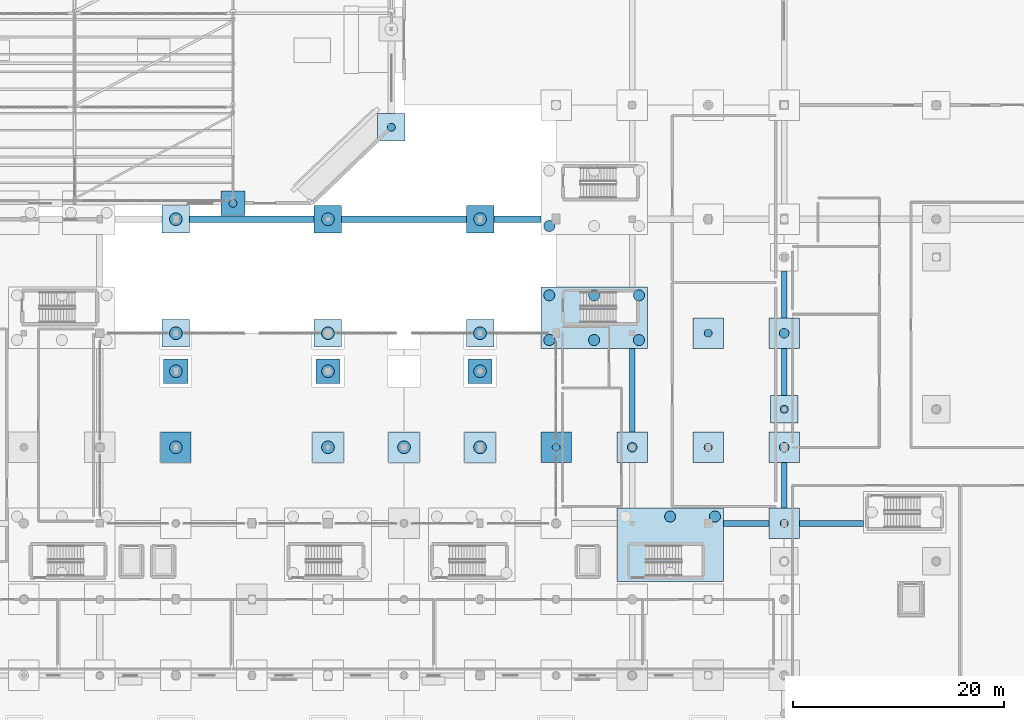
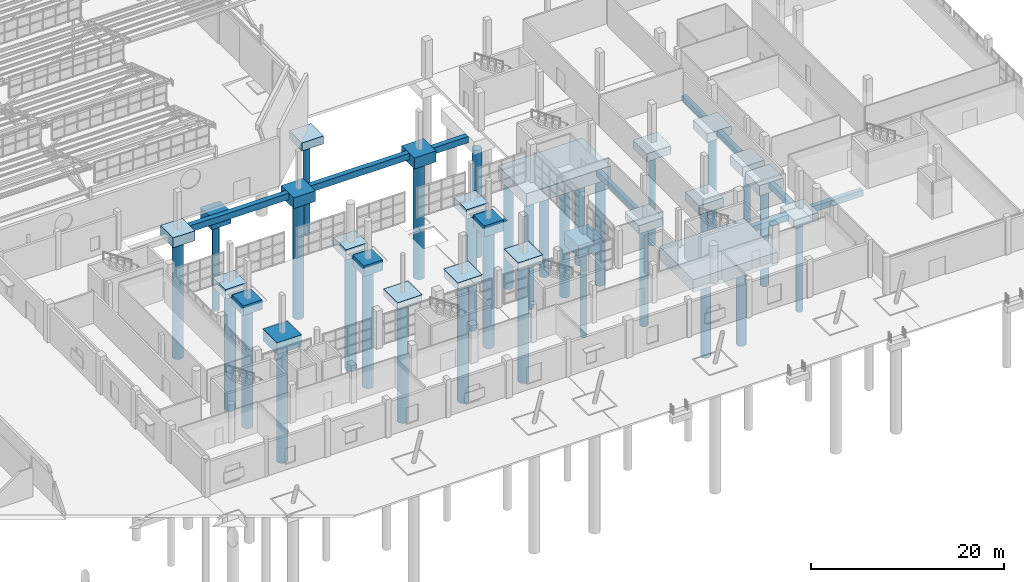
# One storey, part 7 of 285: 34 footings, 32 piles.
"""IFC4 building model written with IfcOpenShell, lengths in metres."""

from ifc_helpers import new_model, si_unit, direction, frame, origin, origin_2d, place, context, subcontext, project, spatial, polyline, circle, outline, extrude, material, material_profile, profile_set, type_object, element, save


model = new_model("IFC4")

# Units and contexts
model_context = context("Model", 3, precision=1e-05, world=origin(), true_north=direction((0.0, 1.0)))
body_context = subcontext(model_context, "Body", "Model", "MODEL_VIEW")
ifc_project = project(units=[si_unit("LENGTHUNIT", "METRE"), si_unit("AREAUNIT", "SQUARE_METRE"), si_unit("VOLUMEUNIT", "CUBIC_METRE"), si_unit("PLANEANGLEUNIT", "RADIAN"), si_unit("MASSUNIT", "GRAM", prefix="KILO")], contexts=[model_context])

# Site, building, storey
site_placement = place(None, origin())
site = spatial("IfcSite", under=ifc_project, at=site_placement, CompositionType="ELEMENT")
building_placement = place(site_placement, origin())
building = spatial("IfcBuilding", under=site, at=building_placement, Name="Solanera Park Tramway Depot", CompositionType="ELEMENT")
storey_placement = place(building_placement, origin())
storey = spatial("IfcBuildingStorey", under=building, at=storey_placement, Name="L00", CompositionType="ELEMENT", Elevation=0.0)

# Footings
ifc_material_1 = material(Name="Concrete N40 (C40/50)", Category="concrete")
footing_type_1 = type_object("IfcFootingType", Name="Bored Pile Cap PC-01 2300x2300x900", PredefinedType="PILE_CAP", material=ifc_material_1)
footing_1_placement = place(storey_placement, frame((0.0, 0.0, -0.89990234375)))
element("IfcFooting", 1, at=footing_1_placement, inside=storey, type_object=footing_type_1, Name="Pile Cap PC-01 #072", PredefinedType="PILE_CAP", context=body_context, shape_type="SweptSolid", body=[
    extrude(outline(polyline([(145.449951171875, 30.949951171875), (145.449951171875, 33.85009765625), (142.550048828125, 33.85009765625), (142.550048828125, 30.949951171875), (145.449951171875, 30.949951171875)])), origin(), (0.0, 0.0, 1.0), 0.89990234375),
])
ifc_material_2 = material(Name="Concrete N40 (C40/50)", Category="concrete")
footing_type_2 = type_object("IfcFootingType", Name="Bored Pile Cap PC-02 2600x2600x1000", PredefinedType="PILE_CAP", material=ifc_material_2)
footing_2_placement = place(storey_placement, frame((0.0, 0.0, -1.35009765625)))
element("IfcFooting", 2, at=footing_2_placement, inside=storey, type_object=footing_type_2, Name="Pile Cap PC-02 #055", PredefinedType="PILE_CAP", context=body_context, shape_type="SweptSolid", body=[
    extrude(outline(polyline([(188.64990234375, 23.75), (188.64990234375, 26.64990234375), (185.75, 26.64990234375), (185.75, 23.75), (188.64990234375, 23.75)])), origin(), (0.0, 0.0, 1.0), 1.0),
])
footing_3_placement = place(storey_placement, frame((0.0, 0.0, -1.0)))
element("IfcFooting", 3, at=footing_3_placement, inside=storey, type_object=footing_type_2, Name="Pile Cap PC-02 #073", PredefinedType="PILE_CAP", context=body_context, shape_type="SweptSolid", body=[
    extrude(outline(polyline([(152.64990234375, 30.949951171875), (152.64990234375, 33.85009765625), (149.75, 33.85009765625), (149.75, 30.949951171875), (152.64990234375, 30.949951171875)])), origin(), (0.0, 0.0, 1.0), 1.0),
])
footing_4_placement = place(storey_placement, frame((0.0, 0.0, -1.35009765625)))
element("IfcFooting", 4, at=footing_4_placement, inside=storey, type_object=footing_type_2, Name="Pile Cap PC-02 #091", PredefinedType="PILE_CAP", context=body_context, shape_type="SweptSolid", body=[
    extrude(outline(polyline([(181.449951171875, 41.75), (181.449951171875, 44.64990234375), (178.550048828125, 44.64990234375), (178.550048828125, 41.75), (181.449951171875, 41.75)])), origin(), (0.0, 0.0, 1.0), 1.0),
])
footing_5_placement = place(storey_placement, frame((0.0, 0.0, -1.449951171875)))
element("IfcFooting", 5, at=footing_5_placement, inside=storey, type_object=footing_type_2, Name="Pile Cap PC-02 #127", PredefinedType="PILE_CAP", context=body_context, shape_type="SweptSolid", body=[
    extrude(outline(polyline([(151.300048828125, 61.39990234375), (151.300048828125, 64.0), (148.699951171875, 64.0), (148.699951171875, 61.39990234375), (151.300048828125, 61.39990234375)])), origin(), (0.0, 0.0, 1.0), 1.0),
])
ifc_material_3 = material(Name="Concrete N40 (C40/50)", Category="concrete")
footing_type_3 = type_object("IfcFootingType", Name="Bored Pile Cap PC-03 2900x2900x1100", PredefinedType="PILE_CAP", material=ifc_material_3)
footing_6_placement = place(storey_placement, frame((0.0, 0.0, -1.10009765625)))
element("IfcFooting", 6, at=footing_6_placement, inside=storey, type_object=footing_type_3, Name="Pile Cap PC-03 #074", PredefinedType="PILE_CAP", context=body_context, shape_type="SweptSolid", body=[
    extrude(outline(polyline([(159.85009765625, 30.949951171875), (159.85009765625, 33.85009765625), (156.949951171875, 33.85009765625), (156.949951171875, 30.949951171875), (159.85009765625, 30.949951171875)])), origin(), (0.0, 0.0, 1.0), 1.10009765625),
])
footing_7_placement = place(storey_placement, frame((0.0, 0.0, -1.449951171875)))
element("IfcFooting", 7, at=footing_7_placement, inside=storey, type_object=footing_type_3, Name="Pile Cap PC-03 #092", PredefinedType="PILE_CAP", context=body_context, shape_type="SweptSolid", body=[
    extrude(outline(polyline([(188.64990234375, 41.75), (188.64990234375, 44.64990234375), (185.75, 44.64990234375), (185.75, 41.75), (188.64990234375, 41.75)])), origin(), (0.0, 0.0, 1.0), 1.099853515625),
])
ifc_material_4 = material(Name="Concrete N40 (C40/50)", Category="concrete")
footing_type_4 = type_object("IfcFootingType", Name="Bored Pile Cap PC-04 3200x3200x1200", PredefinedType="PILE_CAP", material=ifc_material_4)
footing_8_placement = place(storey_placement, frame((0.0, 0.0, -1.550048828125)))
element("IfcFooting", 8, at=footing_8_placement, inside=storey, type_object=footing_type_4, Name="Pile Cap PC-04 #075", PredefinedType="PILE_CAP", context=body_context, shape_type="SweptSolid", body=[
    extrude(outline(polyline([(188.5, 34.699951171875), (188.5, 37.300048828125), (185.89990234375, 37.300048828125), (185.89990234375, 34.699951171875), (188.5, 34.699951171875)])), origin(), (0.0, 0.0, 1.0), 1.199951171875),
])
footing_9_placement = place(storey_placement, frame((0.0, 0.0, -1.199951171875)))
element("IfcFooting", 9, at=footing_9_placement, inside=storey, type_object=footing_type_4, Name="Pile Cap PC-04 #093", PredefinedType="PILE_CAP", context=body_context, shape_type="SweptSolid", body=[
    extrude(outline(polyline([(130.89990234375, 41.89990234375), (130.89990234375, 44.5), (128.300048828125, 44.5), (128.300048828125, 41.89990234375), (130.89990234375, 41.89990234375)])), origin(), (0.0, 0.0, 1.0), 1.199951171875),
])
ifc_material_5 = material(Name="Concrete N40 (C40/50)", Category="concrete")
footing_type_5 = type_object("IfcFootingType", Name="Bored Pile Cap PC-05 3500x3500x1300", PredefinedType="PILE_CAP", material=ifc_material_5)
footing_10_placement = place(storey_placement, frame((0.0, 0.0, -1.300048828125)))
element("IfcFooting", 10, at=footing_10_placement, inside=storey, type_object=footing_type_5, Name="Pile Cap PC-05 #094", PredefinedType="PILE_CAP", context=body_context, shape_type="SweptSolid", body=[
    extrude(outline(polyline([(145.300048828125, 41.89990234375), (145.300048828125, 44.5), (142.699951171875, 44.5), (142.699951171875, 41.89990234375), (145.300048828125, 41.89990234375)])), origin(), (0.0, 0.0, 1.0), 1.300048828125),
])
ifc_material_6 = material(Name="Concrete N40 (C40/50)", Category="concrete")
footing_type_6 = type_object("IfcFootingType", Name="Bored Pile Cap PC-06 3800x2600x1150", PredefinedType="PILE_CAP", material=ifc_material_6)
footing_11_placement = place(storey_placement, frame((0.0, 0.0, -1.14990234375)))
element("IfcFooting", 11, at=footing_11_placement, inside=storey, type_object=footing_type_6, Name="Pile Cap PC-06 #095", PredefinedType="PILE_CAP", context=body_context, shape_type="SweptSolid", body=[
    extrude(outline(polyline([(159.699951171875, 41.89990234375), (159.699951171875, 44.5), (157.10009765625, 44.5), (157.10009765625, 41.89990234375), (159.699951171875, 41.89990234375)])), origin(), (0.0, 0.0, 1.0), 1.14990234375),
])
ifc_material_7 = material(Name="Concrete N40 (C40/50)", Category="concrete")
footing_type_7 = type_object("IfcFootingType", Name="Bored Pile Cap PC-07 4200x2900x1250", PredefinedType="PILE_CAP", material=ifc_material_7)
footing_12_placement = place(storey_placement, frame((0.0, 0.0, -1.25)))
element("IfcFooting", 12, at=footing_12_placement, inside=storey, type_object=footing_type_7, Name="Pile Cap PC-07 #078", PredefinedType="PILE_CAP", context=body_context, shape_type="SweptSolid", body=[
    extrude(outline(polyline([(130.75, 38.449951171875), (130.75, 40.75), (128.449951171875, 40.75), (128.449951171875, 38.449951171875), (130.75, 38.449951171875)])), origin(), (0.0, 0.0, 1.0), 1.25),
])
footing_13_placement = place(storey_placement, frame((0.0, 0.0, -1.25)))
element("IfcFooting", 13, at=footing_13_placement, inside=storey, type_object=footing_type_7, Name="Pile Cap PC-07 #114", PredefinedType="PILE_CAP", context=body_context, shape_type="SweptSolid", body=[
    extrude(outline(polyline([(130.89990234375, 52.699951171875), (130.89990234375, 55.300048828125), (128.300048828125, 55.300048828125), (128.300048828125, 52.699951171875), (130.89990234375, 52.699951171875)])), origin(), (0.0, 0.0, 1.0), 1.25),
])
ifc_material_8 = material(Name="Concrete N40 (C40/50)", Category="concrete")
footing_type_8 = type_object("IfcFootingType", Name="Bored Pile Cap PC-08 4600x3200x1350", PredefinedType="PILE_CAP", material=ifc_material_8)
footing_14_placement = place(storey_placement, frame((0.0, 0.0, -1.35009765625)))
element("IfcFooting", 14, at=footing_14_placement, inside=storey, type_object=footing_type_8, Name="Pile Cap PC-08 #079", PredefinedType="PILE_CAP", context=body_context, shape_type="SweptSolid", body=[
    extrude(outline(polyline([(145.14990234375, 38.449951171875), (145.14990234375, 40.75), (142.85009765625, 40.75), (142.85009765625, 38.449951171875), (145.14990234375, 38.449951171875)])), origin(), (0.0, 0.0, 1.0), 1.35009765625),
])
footing_15_placement = place(storey_placement, frame((0.0, 0.0, -1.35009765625)))
element("IfcFooting", 15, at=footing_15_placement, inside=storey, type_object=footing_type_8, Name="Pile Cap PC-08 #115", PredefinedType="PILE_CAP", context=body_context, shape_type="SweptSolid", body=[
    extrude(outline(polyline([(145.300048828125, 52.699951171875), (145.300048828125, 55.300048828125), (142.699951171875, 55.300048828125), (142.699951171875, 52.699951171875), (145.300048828125, 52.699951171875)])), origin(), (0.0, 0.0, 1.0), 1.35009765625),
])
ifc_material_9 = material(Name="Concrete N40 (C40/50)", Category="concrete")
footing_type_9 = type_object("IfcFootingType", Name="Bored Pile Cap PC-09 5200x3400x1400", PredefinedType="PILE_CAP", material=ifc_material_9)
footing_16_placement = place(storey_placement, frame((0.0, 0.0, -1.39990234375)))
element("IfcFooting", 16, at=footing_16_placement, inside=storey, type_object=footing_type_9, Name="Pile Cap PC-09 #080", PredefinedType="PILE_CAP", context=body_context, shape_type="SweptSolid", body=[
    extrude(outline(polyline([(159.550048828125, 38.449951171875), (159.550048828125, 40.75), (157.25, 40.75), (157.25, 38.449951171875), (159.550048828125, 38.449951171875)])), origin(), (0.0, 0.0, 1.0), 1.39990234375),
])
footing_17_placement = place(storey_placement, frame((0.0, 0.0, -1.39990234375)))
element("IfcFooting", 17, at=footing_17_placement, inside=storey, type_object=footing_type_9, Name="Pile Cap PC-09 #116", PredefinedType="PILE_CAP", context=body_context, shape_type="SweptSolid", body=[
    extrude(outline(polyline([(159.699951171875, 52.699951171875), (159.699951171875, 55.300048828125), (157.10009765625, 55.300048828125), (157.10009765625, 52.699951171875), (159.699951171875, 52.699951171875)])), origin(), (0.0, 0.0, 1.0), 1.39990234375),
])
ifc_material_10 = material(Name="Concrete N40 (C40/50)", Category="concrete")
footing_type_10 = type_object("IfcFootingType", Name="Bored Pile Cap PC-14 9600x5200x1600", PredefinedType="PILE_CAP", material=ifc_material_10)
footing_18_placement = place(storey_placement, frame((0.0, 0.0, -1.949951171875)))
element("IfcFooting", 18, at=footing_18_placement, inside=storey, type_object=footing_type_10, Name="Pile Cap PC-14 #046", PredefinedType="PILE_CAP", context=body_context, shape_type="SweptSolid", body=[
    extrude(outline(polyline([(181.449951171875, 19.699951171875), (181.449951171875, 26.64990234375), (171.35009765625, 26.64990234375), (171.35009765625, 19.699951171875), (181.449951171875, 19.699951171875)])), origin(), (0.0, 0.0, 1.0), 1.599853515625),
])
footing_19_placement = place(storey_placement, frame((0.0, 0.0, -1.949951171875)))
element("IfcFooting", 19, at=footing_19_placement, inside=storey, type_object=footing_type_10, Name="Pile Cap PC-14 #067", PredefinedType="PILE_CAP", context=body_context, shape_type="SweptSolid", body=[
    extrude(outline(polyline([(167.050048828125, 30.949951171875), (167.050048828125, 33.85009765625), (164.14990234375, 33.85009765625), (164.14990234375, 30.949951171875), (167.050048828125, 30.949951171875)])), origin(), (0.0, 0.0, 1.0), 1.599853515625),
])
footing_20_placement = place(storey_placement, frame((0.0, 0.0, -1.949951171875)))
element("IfcFooting", 20, at=footing_20_placement, inside=storey, type_object=footing_type_10, Name="Pile Cap PC-14 #090", PredefinedType="PILE_CAP", context=body_context, shape_type="SweptSolid", body=[
    extrude(outline(polyline([(174.25, 41.75), (174.25, 47.60009765625), (164.14990234375, 47.60009765625), (164.14990234375, 41.75), (174.25, 41.75)])), origin(), (0.0, 0.0, 1.0), 1.599853515625),
])
ifc_material_11 = material(Name="Concrete N40 (C40/50)", Category="concrete")
footing_type_11 = type_object("IfcFootingType", Name="Bored Pile Cap PC-15 2750x2750x1050", PredefinedType="PILE_CAP", material=ifc_material_11)
footing_21_placement = place(storey_placement, frame((0.0, 0.0, -1.39990234375)))
element("IfcFooting", 21, at=footing_21_placement, inside=storey, type_object=footing_type_11, Name="Pile Cap PC-15 #068", PredefinedType="PILE_CAP", context=body_context, shape_type="SweptSolid", body=[
    extrude(outline(polyline([(174.25, 30.949951171875), (174.25, 33.85009765625), (171.35009765625, 33.85009765625), (171.35009765625, 30.949951171875), (174.25, 30.949951171875)])), origin(), (0.0, 0.0, 1.0), 1.0498046875),
])
ifc_material_12 = material(Name="Concrete N40 (C40/50)", Category="concrete")
footing_type_12 = type_object("IfcFootingType", Name="Bored Pile Cap PC-16 3050x3050x1150", PredefinedType="PILE_CAP", material=ifc_material_12)
footing_22_placement = place(storey_placement, frame((0.0, 0.0, -1.5)))
element("IfcFooting", 22, at=footing_22_placement, inside=storey, type_object=footing_type_12, Name="Pile Cap PC-16 #069", PredefinedType="PILE_CAP", context=body_context, shape_type="SweptSolid", body=[
    extrude(outline(polyline([(181.449951171875, 30.949951171875), (181.449951171875, 33.85009765625), (178.550048828125, 33.85009765625), (178.550048828125, 30.949951171875), (181.449951171875, 30.949951171875)])), origin(), (0.0, 0.0, 1.0), 1.14990234375),
])
ifc_material_13 = material(Name="Concrete N40 (C40/50)", Category="concrete")
footing_type_13 = type_object("IfcFootingType", Name="Bored Pile Cap PC-17 4900x3100x1300", PredefinedType="PILE_CAP", material=ifc_material_13)
footing_23_placement = place(storey_placement, frame((0.0, 0.0, -1.64990234375)))
element("IfcFooting", 23, at=footing_23_placement, inside=storey, type_object=footing_type_13, Name="Pile Cap PC-17 #070", PredefinedType="PILE_CAP", context=body_context, shape_type="SweptSolid", body=[
    extrude(outline(polyline([(188.64990234375, 30.949951171875), (188.64990234375, 33.85009765625), (185.75, 33.85009765625), (185.75, 30.949951171875), (188.64990234375, 30.949951171875)])), origin(), (0.0, 0.0, 1.0), 1.2998046875),
])
ifc_material_14 = material(Name="Concrete N40 (C40/50)", Category="concrete")
footing_type_14 = type_object("IfcFootingType", Name="Bored Pile Cap PC-18 6200x3900x1480", PredefinedType="PILE_CAP", material=ifc_material_14)
footing_24_placement = place(storey_placement, frame((0.0, 0.0, -1.47998046875)))
element("IfcFooting", 24, at=footing_24_placement, inside=storey, type_object=footing_type_14, Name="Pile Cap PC-18 #071", PredefinedType="PILE_CAP", context=body_context, shape_type="SweptSolid", body=[
    extrude(outline(polyline([(131.050048828125, 30.949951171875), (131.050048828125, 33.85009765625), (128.14990234375, 33.85009765625), (128.14990234375, 30.949951171875), (131.050048828125, 30.949951171875)])), origin(), (0.0, 0.0, 1.0), 1.47998046875),
])
footing_25_placement = place(storey_placement, frame((0.0, 0.0, -1.929931640625)))
element("IfcFooting", 25, at=footing_25_placement, inside=storey, type_object=footing_type_14, Name="Pile Cap PC-18 #125", PredefinedType="PILE_CAP", context=body_context, shape_type="SweptSolid", body=[
    extrude(outline(polyline([(136.14990234375, 54.35009765625), (136.14990234375, 56.64990234375), (133.85009765625, 56.64990234375), (133.85009765625, 54.35009765625), (136.14990234375, 54.35009765625)])), origin(), (0.0, 0.0, 1.0), 1.47998046875),
])
ifc_material_15 = material(Name="Concrete N40 (C40/50)", Category="concrete")
footing_type_15 = type_object("IfcFootingType", Name="Ground Tie Beam GB-01 500x700", PredefinedType="FOOTING_BEAM", material=ifc_material_15)
footing_26_placement = place(storey_placement, frame((0.0, 0.0, -1.050048828125)))
element("IfcFooting", 26, at=footing_26_placement, inside=storey, type_object=footing_type_15, Name="Ground Tie Beam GB-01 #136", PredefinedType="FOOTING_BEAM", context=body_context, shape_type="SweptSolid", body=[
    extrude(outline(polyline([(173.050048828125, 33.85009765625), (173.050048828125, 41.75), (172.550048828125, 41.75), (172.550048828125, 33.85009765625), (173.050048828125, 33.85009765625)])), origin(), (0.0, 0.0, 1.0), 0.699951171875),
])
ifc_material_16 = material(Name="Concrete N40 (C40/50)", Category="concrete")
footing_type_16 = type_object("IfcFootingType", Name="Ground Tie Beam GB-02 550x750", PredefinedType="FOOTING_BEAM", material=ifc_material_16)
footing_27_placement = place(storey_placement, frame((0.0, 0.0, -1.10009765625)))
element("IfcFooting", 27, at=footing_27_placement, inside=storey, type_object=footing_type_16, Name="Ground Tie Beam GB-02 #026", PredefinedType="FOOTING_BEAM", context=body_context, shape_type="SweptSolid", body=[
    extrude(outline(polyline([(185.75, 24.925048828125), (185.75, 25.47509765625), (181.449951171875, 25.47509765625), (181.449951171875, 24.925048828125), (185.75, 24.925048828125)])), origin(), (0.0, 0.0, 1.0), 0.75),
])
footing_28_placement = place(storey_placement, frame((0.0, 0.0, -1.10009765625)))
element("IfcFooting", 28, at=footing_28_placement, inside=storey, type_object=footing_type_16, Name="Ground Tie Beam GB-02 #027", PredefinedType="FOOTING_BEAM", context=body_context, shape_type="SweptSolid", body=[
    extrude(outline(polyline([(194.699951171875, 24.925048828125), (194.699951171875, 25.47509765625), (188.64990234375, 25.47509765625), (188.64990234375, 24.925048828125), (194.699951171875, 24.925048828125)])), origin(), (0.0, 0.0, 1.0), 0.75),
])
footing_29_placement = place(storey_placement, frame((0.0, 0.0, -1.10009765625)))
element("IfcFooting", 29, at=footing_29_placement, inside=storey, type_object=footing_type_16, Name="Ground Tie Beam GB-02 #143", PredefinedType="FOOTING_BEAM", context=body_context, shape_type="SweptSolid", body=[
    extrude(outline(polyline([(187.47509765625, 26.64990234375), (187.47509765625, 30.949951171875), (186.925048828125, 30.949951171875), (186.925048828125, 26.64990234375), (187.47509765625, 26.64990234375)])), origin(), (0.0, 0.0, 1.0), 0.75),
])
footing_30_placement = place(storey_placement, frame((0.0, 0.0, -1.10009765625)))
element("IfcFooting", 30, at=footing_30_placement, inside=storey, type_object=footing_type_16, Name="Ground Tie Beam GB-02 #144", PredefinedType="FOOTING_BEAM", context=body_context, shape_type="SweptSolid", body=[
    extrude(outline(polyline([(187.47509765625, 37.300048828125), (187.47509765625, 41.75), (186.925048828125, 41.75), (186.925048828125, 37.300048828125), (187.47509765625, 37.300048828125)])), origin(), (0.0, 0.0, 1.0), 0.75),
])
footing_31_placement = place(storey_placement, frame((0.0, 0.0, -1.10009765625)))
element("IfcFooting", 31, at=footing_31_placement, inside=storey, type_object=footing_type_16, Name="Ground Tie Beam GB-02 #145", PredefinedType="FOOTING_BEAM", context=body_context, shape_type="SweptSolid", body=[
    extrude(outline(polyline([(187.47509765625, 44.64990234375), (187.47509765625, 49.10009765625), (186.925048828125, 49.10009765625), (186.925048828125, 44.64990234375), (187.47509765625, 44.64990234375)])), origin(), (0.0, 0.0, 1.0), 0.75),
])
ifc_material_17 = material(Name="Concrete N40 (C40/50)", Category="concrete")
footing_type_17 = type_object("IfcFootingType", Name="Ground Tie Beam GB-03 600x800", PredefinedType="FOOTING_BEAM", material=ifc_material_17)
footing_32_placement = place(storey_placement, frame((0.0, 0.0, -0.800048828125)))
element("IfcFooting", 32, at=footing_32_placement, inside=storey, type_object=footing_type_17, Name="Ground Tie Beam GB-03 #037", PredefinedType="FOOTING_BEAM", context=body_context, shape_type="SweptSolid", body=[
    extrude(outline(polyline([(142.699951171875, 53.699951171875), (142.699951171875, 54.300048828125), (130.89990234375, 54.300048828125), (130.89990234375, 53.699951171875), (142.699951171875, 53.699951171875)])), origin(), (0.0, 0.0, 1.0), 0.800048828125),
])
footing_33_placement = place(storey_placement, frame((0.0, 0.0, -0.800048828125)))
element("IfcFooting", 33, at=footing_33_placement, inside=storey, type_object=footing_type_17, Name="Ground Tie Beam GB-03 #038", PredefinedType="FOOTING_BEAM", context=body_context, shape_type="SweptSolid", body=[
    extrude(outline(polyline([(157.10009765625, 53.699951171875), (157.10009765625, 54.300048828125), (145.300048828125, 54.300048828125), (145.300048828125, 53.699951171875), (157.10009765625, 53.699951171875)])), origin(), (0.0, 0.0, 1.0), 0.800048828125),
])
footing_34_placement = place(storey_placement, frame((0.0, 0.0, -1.14990234375)))
element("IfcFooting", 34, at=footing_34_placement, inside=storey, type_object=footing_type_17, Name="Ground Tie Beam GB-03 #039", PredefinedType="FOOTING_BEAM", context=body_context, shape_type="SweptSolid", body=[
    extrude(outline(polyline([(164.14990234375, 53.699951171875), (164.14990234375, 54.300048828125), (159.699951171875, 54.300048828125), (159.699951171875, 53.699951171875), (164.14990234375, 53.699951171875)])), origin(), (0.0, 0.0, 1.0), 0.7998046875),
])

# Piles
ifc_material_18 = material(Name="Concrete N40 (C40/50)", Category="concrete")
ifc_material_profile_1 = material_profile(ifc_material_18, circle(Radius=0.52490234375, at=origin_2d()), Name="BORED PILE 1050")
ifc_profile_set_1 = profile_set([ifc_material_profile_1], Name="Concrete N40 (C40/50)")
pile_type_1 = type_object("IfcPileType", Name="Rock Socketed BORED PILE 1050", PredefinedType="BORED", material=ifc_profile_set_1)
for number, where, z_axis, x_axis, name in (
    (35, (176.39990234375, 25.844970703125, -1.85009765625), (0.0, 0.0, -1.0), (1.0, 0.0, 0.0), "Bored Pile BORED PILE 1050 #0071"),
    (36, (180.64501953125, 25.844970703125, -1.85009765625), (0.0, 0.0, -1.0), (1.0, 0.0, 0.0), "Bored Pile BORED PILE 1050 #0072"),
    (37, (164.955078125, 42.554931640625, -1.85009765625), (0.0, 0.0, -1.0), (1.0, 0.0, 0.0), "Bored Pile BORED PILE 1050 #0120"),
    (38, (164.955078125, 46.794921875, -1.85009765625), (0.0, 0.0, -1.0), (1.0, 0.0, 0.0), "Bored Pile BORED PILE 1050 #0121"),
    (39, (169.199951171875, 42.554931640625, -1.85009765625), (0.0, 0.0, -1.0), (1.0, 0.0, 0.0), "Bored Pile BORED PILE 1050 #0122"),
    (40, (169.199951171875, 46.794921875, -1.85009765625), (0.0, 0.0, -1.0), (1.0, 0.0, 0.0), "Bored Pile BORED PILE 1050 #0123"),
    (41, (173.445068359375, 42.554931640625, -1.85009765625), (0.0, 0.0, -1.0), (1.0, 0.0, 0.0), "Bored Pile BORED PILE 1050 #0124"),
    (42, (173.445068359375, 46.794921875, -1.85009765625), (0.0, 0.0, -1.0), (1.0, 0.0, 0.0), "Bored Pile BORED PILE 1050 #0125"),
    (43, (164.955078125, 53.35498046875, -1.85009765625), (0.0, 0.0, -1.0), (1.0, 0.0, 0.0), "Bored Pile BORED PILE 1050 #0148"),
):
    element("IfcPile", number, at=place(storey_placement, frame(where, z_axis=z_axis, x_axis=x_axis)), inside=storey, type_object=pile_type_1, Name=name, PredefinedType="BORED", context=body_context, shape_type="SweptSolid", body=[
        extrude(circle(Radius=0.52490234375, at=origin_2d()), origin(), (0.0, 0.0, 1.0), 13.550048828125),
    ])
ifc_material_19 = material(Name="Concrete N50 (C50/60)", Category="concrete")
ifc_material_profile_2 = material_profile(ifc_material_19, circle(Radius=0.60009765625, at=origin_2d()), Name="BORED PILE 1200")
ifc_profile_set_2 = profile_set([ifc_material_profile_2], Name="Concrete N50 (C50/60)")
pile_type_2 = type_object("IfcPileType", Name="Rock Socketed BORED PILE 1200", PredefinedType="BORED", material=ifc_profile_set_2)
pile_1_placement = place(storey_placement, frame((129.60009765625, 32.39990234375, -1.3798828125), z_axis=(0.0, 0.0, -1.0), x_axis=(1.0, 0.0, 0.0)))
element("IfcPile", 44, at=pile_1_placement, inside=storey, type_object=pile_type_2, Name="Bored Pile BORED PILE 1200 #0098", PredefinedType="BORED", context=body_context, shape_type="SweptSolid", body=[
    extrude(circle(Radius=0.60009765625, at=origin_2d()), origin(), (0.0, 0.0, 1.0), 14.820068359375),
])
pile_2_placement = place(storey_placement, frame((144.0, 32.39990234375, -0.800048828125), z_axis=(0.0, 0.0, -1.0), x_axis=(1.0, 0.0, 0.0)))
element("IfcPile", 45, at=pile_2_placement, inside=storey, type_object=pile_type_2, Name="Bored Pile BORED PILE 1200 #0099", PredefinedType="BORED", context=body_context, shape_type="SweptSolid", body=[
    extrude(circle(Radius=0.60009765625, at=origin_2d()), origin(), (0.0, 0.0, 1.0), 15.39990234375),
])
pile_3_placement = place(storey_placement, frame((151.199951171875, 32.39990234375, -0.89990234375), z_axis=(0.0, 0.0, -1.0), x_axis=(1.0, 0.0, 0.0)))
element("IfcPile", 46, at=pile_3_placement, inside=storey, type_object=pile_type_2, Name="Bored Pile BORED PILE 1200 #0100", PredefinedType="BORED", context=body_context, shape_type="SweptSolid", body=[
    extrude(circle(Radius=0.60009765625, at=origin_2d()), origin(), (0.0, 0.0, 1.0), 15.300048828125),
])
pile_4_placement = place(storey_placement, frame((158.39990234375, 32.39990234375, -1.0), z_axis=(0.0, 0.0, -1.0), x_axis=(1.0, 0.0, 0.0)))
element("IfcPile", 47, at=pile_4_placement, inside=storey, type_object=pile_type_2, Name="Bored Pile BORED PILE 1200 #0101", PredefinedType="BORED", context=body_context, shape_type="SweptSolid", body=[
    extrude(circle(Radius=0.60009765625, at=origin_2d()), origin(), (0.0, 0.0, 1.0), 15.199951171875),
])
pile_5_placement = place(storey_placement, frame((129.60009765625, 39.60009765625, -1.14990234375), z_axis=(0.0, 0.0, -1.0), x_axis=(1.0, 0.0, 0.0)))
element("IfcPile", 48, at=pile_5_placement, inside=storey, type_object=pile_type_2, Name="Bored Pile BORED PILE 1200 #0105", PredefinedType="BORED", context=body_context, shape_type="SweptSolid", body=[
    extrude(circle(Radius=0.60009765625, at=origin_2d()), origin(), (0.0, 0.0, 1.0), 15.050048828125),
])
pile_6_placement = place(storey_placement, frame((144.0, 39.60009765625, -1.25), z_axis=(0.0, 0.0, -1.0), x_axis=(1.0, 0.0, 0.0)))
element("IfcPile", 49, at=pile_6_placement, inside=storey, type_object=pile_type_2, Name="Bored Pile BORED PILE 1200 #0106", PredefinedType="BORED", context=body_context, shape_type="SweptSolid", body=[
    extrude(circle(Radius=0.60009765625, at=origin_2d()), origin(), (0.0, 0.0, 1.0), 14.949951171875),
])
pile_7_placement = place(storey_placement, frame((158.39990234375, 39.60009765625, -1.300048828125), z_axis=(0.0, 0.0, -1.0), x_axis=(1.0, 0.0, 0.0)))
element("IfcPile", 50, at=pile_7_placement, inside=storey, type_object=pile_type_2, Name="Bored Pile BORED PILE 1200 #0107", PredefinedType="BORED", context=body_context, shape_type="SweptSolid", body=[
    extrude(circle(Radius=0.60009765625, at=origin_2d()), origin(), (0.0, 0.0, 1.0), 14.89990234375),
])
pile_8_placement = place(storey_placement, frame((129.60009765625, 43.199951171875, -1.10009765625), z_axis=(0.0, 0.0, -1.0), x_axis=(1.0, 0.0, 0.0)))
element("IfcPile", 51, at=pile_8_placement, inside=storey, type_object=pile_type_2, Name="Bored Pile BORED PILE 1200 #0128", PredefinedType="BORED", context=body_context, shape_type="SweptSolid", body=[
    extrude(circle(Radius=0.60009765625, at=origin_2d()), origin(), (0.0, 0.0, 1.0), 15.10009765625),
])
pile_9_placement = place(storey_placement, frame((144.0, 43.199951171875, -1.199951171875), z_axis=(0.0, 0.0, -1.0), x_axis=(1.0, 0.0, 0.0)))
element("IfcPile", 52, at=pile_9_placement, inside=storey, type_object=pile_type_2, Name="Bored Pile BORED PILE 1200 #0129", PredefinedType="BORED", context=body_context, shape_type="SweptSolid", body=[
    extrude(circle(Radius=0.60009765625, at=origin_2d()), origin(), (0.0, 0.0, 1.0), 15.0),
])
pile_10_placement = place(storey_placement, frame((158.39990234375, 43.199951171875, -1.050048828125), z_axis=(0.0, 0.0, -1.0), x_axis=(1.0, 0.0, 0.0)))
element("IfcPile", 53, at=pile_10_placement, inside=storey, type_object=pile_type_2, Name="Bored Pile BORED PILE 1200 #0130", PredefinedType="BORED", context=body_context, shape_type="SweptSolid", body=[
    extrude(circle(Radius=0.60009765625, at=origin_2d()), origin(), (0.0, 0.0, 1.0), 15.14990234375),
])
pile_11_placement = place(storey_placement, frame((129.60009765625, 54.0, -1.14990234375), z_axis=(0.0, 0.0, -1.0), x_axis=(1.0, 0.0, 0.0)))
element("IfcPile", 54, at=pile_11_placement, inside=storey, type_object=pile_type_2, Name="Bored Pile BORED PILE 1200 #0158", PredefinedType="BORED", context=body_context, shape_type="SweptSolid", body=[
    extrude(circle(Radius=0.60009765625, at=origin_2d()), origin(), (0.0, 0.0, 1.0), 15.050048828125),
])
pile_12_placement = place(storey_placement, frame((144.0, 54.0, -1.25), z_axis=(0.0, 0.0, -1.0), x_axis=(1.0, 0.0, 0.0)))
element("IfcPile", 55, at=pile_12_placement, inside=storey, type_object=pile_type_2, Name="Bored Pile BORED PILE 1200 #0159", PredefinedType="BORED", context=body_context, shape_type="SweptSolid", body=[
    extrude(circle(Radius=0.60009765625, at=origin_2d()), origin(), (0.0, 0.0, 1.0), 14.949951171875),
])
pile_13_placement = place(storey_placement, frame((158.39990234375, 54.0, -1.300048828125), z_axis=(0.0, 0.0, -1.0), x_axis=(1.0, 0.0, 0.0)))
element("IfcPile", 56, at=pile_13_placement, inside=storey, type_object=pile_type_2, Name="Bored Pile BORED PILE 1200 #0160", PredefinedType="BORED", context=body_context, shape_type="SweptSolid", body=[
    extrude(circle(Radius=0.60009765625, at=origin_2d()), origin(), (0.0, 0.0, 1.0), 14.89990234375),
])
ifc_material_20 = material(Name="Concrete N40 (C40/50)", Category="concrete")
ifc_material_profile_3 = material_profile(ifc_material_20, circle(Radius=0.375, at=origin_2d()), Name="BORED PILE 750")
ifc_profile_set_3 = profile_set([ifc_material_profile_3], Name="Concrete N40 (C40/50)")
pile_type_3 = type_object("IfcPileType", Name="Rock Socketed BORED PILE 750", PredefinedType="BORED", material=ifc_profile_set_3)
pile_14_placement = place(storey_placement, frame((187.199951171875, 25.199951171875, -1.25), z_axis=(0.0, 0.0, -1.0), x_axis=(1.0, 0.0, 0.0)))
element("IfcPile", 57, at=pile_14_placement, inside=storey, type_object=pile_type_3, Name="Bored Pile BORED PILE 750 #0081", PredefinedType="BORED", context=body_context, shape_type="SweptSolid", body=[
    extrude(circle(Radius=0.375, at=origin_2d()), origin(), (0.0, 0.0, 1.0), 11.85009765625),
])
pile_15_placement = place(storey_placement, frame((165.60009765625, 32.39990234375, -1.85009765625), z_axis=(0.0, 0.0, -1.0), x_axis=(1.0, 0.0, 0.0)))
element("IfcPile", 58, at=pile_15_placement, inside=storey, type_object=pile_type_3, Name="Bored Pile BORED PILE 750 #0094", PredefinedType="BORED", context=body_context, shape_type="SweptSolid", body=[
    extrude(circle(Radius=0.375, at=origin_2d()), origin(), (0.0, 0.0, 1.0), 11.25),
])
pile_16_placement = place(storey_placement, frame((180.0, 32.39990234375, -1.39990234375), z_axis=(0.0, 0.0, -1.0), x_axis=(1.0, 0.0, 0.0)))
element("IfcPile", 59, at=pile_16_placement, inside=storey, type_object=pile_type_3, Name="Bored Pile BORED PILE 750 #0096", PredefinedType="BORED", context=body_context, shape_type="SweptSolid", body=[
    extrude(circle(Radius=0.375, at=origin_2d()), origin(), (0.0, 0.0, 1.0), 11.699951171875),
])
pile_17_placement = place(storey_placement, frame((187.199951171875, 36.0, -1.449951171875), z_axis=(0.0, 0.0, -1.0), x_axis=(1.0, 0.0, 0.0)))
element("IfcPile", 60, at=pile_17_placement, inside=storey, type_object=pile_type_3, Name="Bored Pile BORED PILE 750 #0102", PredefinedType="BORED", context=body_context, shape_type="SweptSolid", body=[
    extrude(circle(Radius=0.375, at=origin_2d()), origin(), (0.0, 0.0, 1.0), 11.64990234375),
])
pile_18_placement = place(storey_placement, frame((180.0, 43.199951171875, -1.25), z_axis=(0.0, 0.0, -1.0), x_axis=(1.0, 0.0, 0.0)))
element("IfcPile", 61, at=pile_18_placement, inside=storey, type_object=pile_type_3, Name="Bored Pile BORED PILE 750 #0126", PredefinedType="BORED", context=body_context, shape_type="SweptSolid", body=[
    extrude(circle(Radius=0.375, at=origin_2d()), origin(), (0.0, 0.0, 1.0), 11.85009765625),
])
pile_19_placement = place(storey_placement, frame((135.0, 55.5, -1.830078125), z_axis=(0.0, 0.0, -1.0), x_axis=(1.0, 0.0, 0.0)))
element("IfcPile", 62, at=pile_19_placement, inside=storey, type_object=pile_type_3, Name="Bored Pile BORED PILE 750 #0168", PredefinedType="BORED", context=body_context, shape_type="SweptSolid", body=[
    extrude(circle(Radius=0.375, at=origin_2d()), origin(), (0.0, 0.0, 1.0), 11.27001953125),
])
pile_20_placement = place(storey_placement, frame((150.0, 62.699951171875, -1.35009765625), z_axis=(0.0, 0.0, -1.0), x_axis=(1.0, 0.0, 0.0)))
element("IfcPile", 63, at=pile_20_placement, inside=storey, type_object=pile_type_3, Name="Bored Pile BORED PILE 750 #0170", PredefinedType="BORED", context=body_context, shape_type="SweptSolid", body=[
    extrude(circle(Radius=0.375, at=origin_2d()), origin(), (0.0, 0.0, 1.0), 11.75),
])
ifc_material_21 = material(Name="Concrete N40 (C40/50)", Category="concrete")
ifc_material_profile_4 = material_profile(ifc_material_21, circle(Radius=0.449951171875, at=origin_2d()), Name="BORED PILE 900")
ifc_profile_set_4 = profile_set([ifc_material_profile_4], Name="Concrete N40 (C40/50)")
pile_type_4 = type_object("IfcPileType", Name="Rock Socketed BORED PILE 900", PredefinedType="BORED", material=ifc_profile_set_4)
pile_21_placement = place(storey_placement, frame((172.800048828125, 32.39990234375, -1.300048828125), z_axis=(0.0, 0.0, -1.0), x_axis=(1.0, 0.0, 0.0)))
element("IfcPile", 64, at=pile_21_placement, inside=storey, type_object=pile_type_4, Name="Bored Pile BORED PILE 900 #0095", PredefinedType="BORED", context=body_context, shape_type="SweptSolid", body=[
    extrude(circle(Radius=0.449951171875, at=origin_2d()), origin(), (0.0, 0.0, 1.0), 12.89990234375),
])
pile_22_placement = place(storey_placement, frame((187.199951171875, 32.39990234375, -1.550048828125), z_axis=(0.0, 0.0, -1.0), x_axis=(1.0, 0.0, 0.0)))
element("IfcPile", 65, at=pile_22_placement, inside=storey, type_object=pile_type_4, Name="Bored Pile BORED PILE 900 #0097", PredefinedType="BORED", context=body_context, shape_type="SweptSolid", body=[
    extrude(circle(Radius=0.449951171875, at=origin_2d()), origin(), (0.0, 0.0, 1.0), 12.64990234375),
])
pile_23_placement = place(storey_placement, frame((187.199951171875, 43.199951171875, -1.35009765625), z_axis=(0.0, 0.0, -1.0), x_axis=(1.0, 0.0, 0.0)))
element("IfcPile", 66, at=pile_23_placement, inside=storey, type_object=pile_type_4, Name="Bored Pile BORED PILE 900 #0127", PredefinedType="BORED", context=body_context, shape_type="SweptSolid", body=[
    extrude(circle(Radius=0.449951171875, at=origin_2d()), origin(), (0.0, 0.0, 1.0), 12.85009765625),
])

save(model, "model.ifc")
